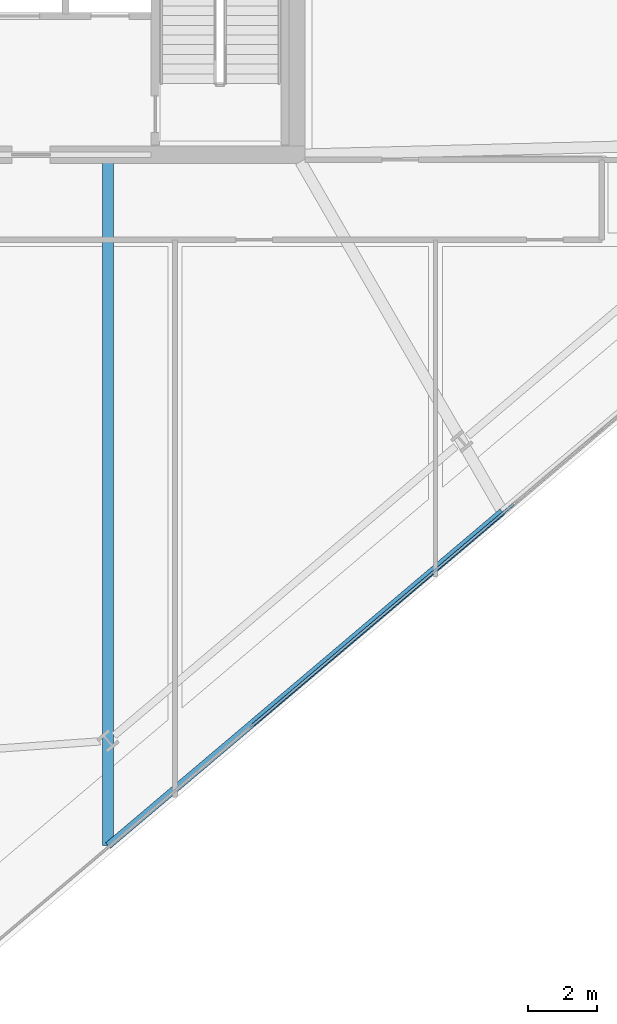
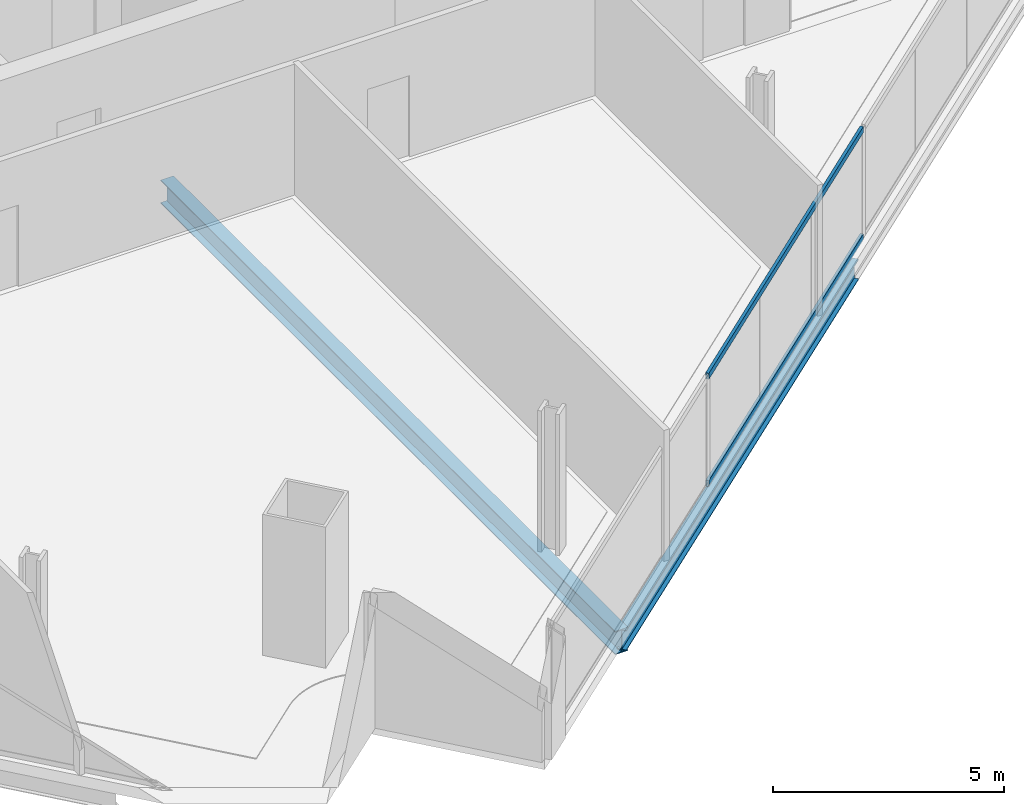
# One storey, part 9 of 34: 2 beams, 2 members, 1 element without a shape of its own.
"""IFC4 building model written with IfcOpenShell, lengths in metres."""

from ifc_helpers import new_model, si_unit, direction, frame, origin, origin_2d, place, context, subcontext, project, spatial, hollow_rectangle, i_section, extrude, material, material_profile, profile_set, type_object, element, aggregate, save


model = new_model("IFC4")

# Units and contexts
model_context = context("Model", 3, precision=1e-05, world=origin(), true_north=direction((0.0, 1.0)))
body_context = subcontext(model_context, "Body", "Model", "MODEL_VIEW")
ifc_project = project(units=[si_unit("LENGTHUNIT", "METRE"), si_unit("AREAUNIT", "SQUARE_METRE"), si_unit("VOLUMEUNIT", "CUBIC_METRE"), si_unit("PLANEANGLEUNIT", "RADIAN"), si_unit("MASSUNIT", "GRAM", prefix="KILO")], contexts=[model_context])

# Site, building, storey
site_placement = place(None, origin())
site = spatial("IfcSite", under=ifc_project, at=site_placement, CompositionType="ELEMENT")
building_placement = place(site_placement, origin())
building = spatial("IfcBuilding", under=site, at=building_placement, Name="Haldenkirk Collegiate Tower", CompositionType="ELEMENT")
storey_placement = place(building_placement, frame((0.0, 0.0, 163.199951171875)))
storey = spatial("IfcBuildingStorey", under=building, at=storey_placement, Name="L40", CompositionType="ELEMENT", Elevation=163.199951171875)

# Beams
ifc_material_1 = material(Name="Steel ASTM A992 Grade 50", Category="steel")
ifc_material_profile_1 = material_profile(ifc_material_1, i_section(OverallWidth=0.324951171875, OverallDepth=0.615966796875, WebThickness=0.013916015625, FlangeThickness=0.021484375, at=origin_2d()), Name="W24X117")
ifc_profile_set_1 = profile_set([ifc_material_profile_1], Name="Steel ASTM A992 Grade 50")
beam_type_1 = type_object("IfcBeamType", Name="BM-GIRDER-W24X117", PredefinedType="BEAM", material=ifc_profile_set_1)
beam_1_placement = place(storey_placement, frame((39.568603515625, -1.906494140625, -0.597900390625), z_axis=(0.0, 1.0, 0.0), x_axis=(-1.0, 0.0, 0.0)))
element("IfcBeam", 1, at=beam_1_placement, inside=storey, type_object=beam_type_1, Name="L40 primary floor girder 05", PredefinedType="BEAM", context=body_context, shape_type="SweptSolid", body=[
    extrude(i_section(OverallWidth=0.324951171875, OverallDepth=0.615966796875, WebThickness=0.013916015625, FlangeThickness=0.021484375, at=origin_2d()), origin(), (0.0, 0.0, 1.0), 19.676513671875),
])
ifc_material_profile_2 = material_profile(ifc_material_1, i_section(OverallWidth=0.2119140625, OverallDepth=0.5439453125, WebThickness=0.01318359375, FlangeThickness=0.021240234375, at=origin_2d()), Name="W21X83")
ifc_profile_set_2 = profile_set([ifc_material_profile_2], Name="Steel ASTM A992 Grade 50")
beam_type_2 = type_object("IfcBeamType", Name="BM-SPANDREL-W21X83", PredefinedType="SPANDREL", material=ifc_profile_set_2)
beam_2_placement = place(storey_placement, frame((39.568603515625, -1.906494140625, -0.56201171875), z_axis=(0.763238863796, 0.646116426654, 0.0), x_axis=(-0.646116426654, 0.763238863796, 0.0)))
element("IfcBeam", 2, at=beam_2_placement, inside=storey, type_object=beam_type_2, Name="L40 outer facade edge beam 1A", PredefinedType="SPANDREL", context=body_context, shape_type="SweptSolid", body=[
    extrude(i_section(OverallWidth=0.2119140625, OverallDepth=0.5439453125, WebThickness=0.01318359375, FlangeThickness=0.021240234375, at=origin_2d()), origin(), (0.0, 0.0, 1.0), 14.889404296875),
])

# Curtain wall, members
ifc_material_2 = material(Name="Anodised architectural bronze aluminium", Category="aluminium")
curtain_wall_type = type_object("IfcCurtainWallType", Name="CW-SYS2-CONCAVE", PredefinedType="USERDEFINED", material=ifc_material_2)
curtain_wall_placement = place(storey_placement, origin())
curtain_wall = element("IfcCurtainWall", 3, at=curtain_wall_placement, inside=storey, type_object=curtain_wall_type, Name="L40 South concave recessed bronze-anodised curtain wall", ObjectType="UNITISED CURTAIN WALL", PredefinedType="USERDEFINED")
ifc_material_profile_3 = material_profile(ifc_material_2, hollow_rectangle(XDim=0.074951171875, YDim=0.159912109375, WallThickness=0.0048828125, at=origin_2d()), Name="CW-TRN-02")
ifc_profile_set_3 = profile_set([ifc_material_profile_3], Name="Anodised architectural bronze aluminium")
member_type = type_object("IfcMemberType", Name="CW-TRN-02", PredefinedType="USERDEFINED", material=ifc_profile_set_3)
member_1_placement = place(storey_placement, frame((51.2490234375, 7.92919921875, 0.03759765625), z_axis=(-0.763233795918, -0.646122413145, 0.0), x_axis=(0.646122413145, -0.763233795918, 0.0)))
member_1 = element("IfcMember", 4, at=member_1_placement, type_object=member_type, Name="CW-02 transom 3.1", ObjectType="TRANSOM", PredefinedType="USERDEFINED", context=body_context, shape_type="SweptSolid", body=[
    extrude(hollow_rectangle(XDim=0.074951171875, YDim=0.159912109375, WallThickness=0.0048828125, at=origin_2d()), origin(), (0.0, 0.0, 1.0), 9.900146484375),
])
member_2_placement = place(storey_placement, frame((51.2490234375, 7.92919921875, 2.87353515625), z_axis=(-0.763233795918, -0.646122413145, 0.0), x_axis=(0.646122413145, -0.763233795918, 0.0)))
member_2 = element("IfcMember", 5, at=member_2_placement, type_object=member_type, Name="CW-02 transom 3.2", ObjectType="TRANSOM", PredefinedType="USERDEFINED", context=body_context, shape_type="SweptSolid", body=[
    extrude(hollow_rectangle(XDim=0.074951171875, YDim=0.159912109375, WallThickness=0.0048828125, at=origin_2d()), origin(), (0.0, 0.0, 1.0), 9.900146484375),
])
aggregate(curtain_wall, [member_1, member_2])

save(model, "model.ifc")
